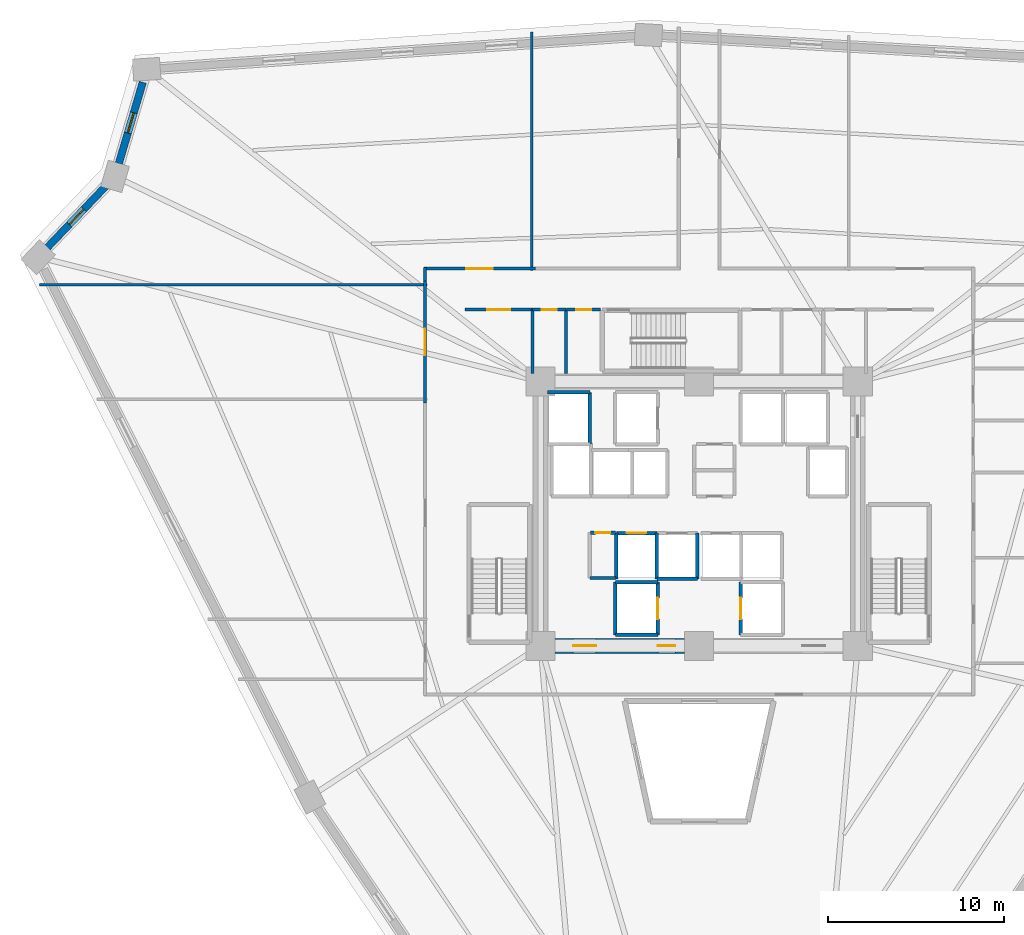
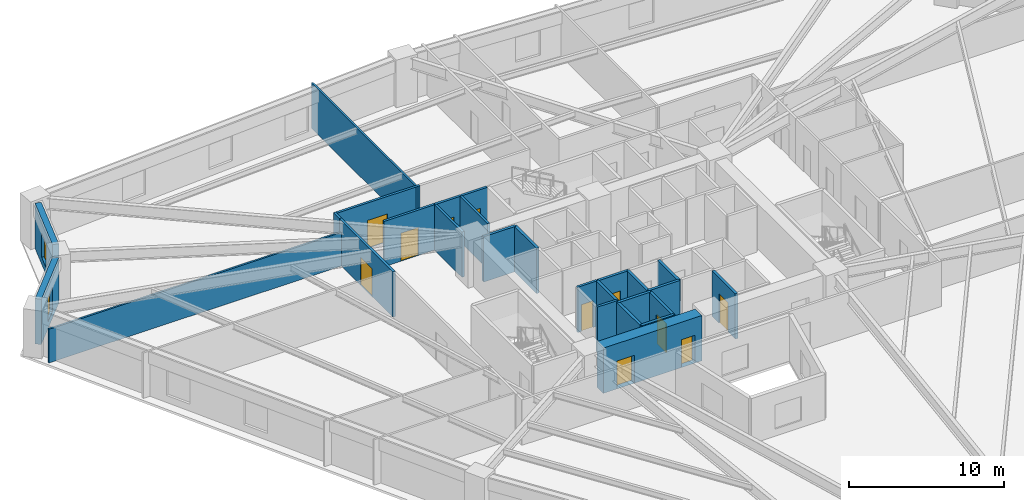
# One storey, part 4 of 8: 27 walls, 11 doors, 2 windows, 13 openings.
"""IFC4 building model written with IfcOpenShell, lengths in metres."""

from ifc_helpers import new_model, si_unit, direction, frame, frame_2d, origin, place, context, subcontext, project, spatial, rectangle, extrude, source, transform, mapped, material, layer, layer_set, type_object, element, fill, save


model = new_model("IFC4")

# Units and contexts
model_context = context("Model", 3, precision=1e-05, world=origin(), true_north=direction((0.0, 1.0)))
body_context = subcontext(model_context, "Body", "Model", "MODEL_VIEW")
ifc_project = project(units=[si_unit("LENGTHUNIT", "METRE"), si_unit("AREAUNIT", "SQUARE_METRE"), si_unit("VOLUMEUNIT", "CUBIC_METRE"), si_unit("PLANEANGLEUNIT", "RADIAN"), si_unit("MASSUNIT", "GRAM", prefix="KILO")], contexts=[model_context])

# Site, building, storey
site_placement = place(None, origin())
site = spatial("IfcSite", under=ifc_project, at=site_placement, CompositionType="ELEMENT")
building_placement = place(site_placement, origin())
building = spatial("IfcBuilding", under=site, at=building_placement, Name="Liaohun Quay Tower", CompositionType="ELEMENT")
storey_placement = place(building_placement, frame((0.0, 0.0, 85.5)))
storey = spatial("IfcBuildingStorey", under=building, at=storey_placement, Name="L22", CompositionType="ELEMENT", Elevation=85.5)

# Wall, openings, doors
ifc_material_1 = material(Name="Concrete C60", Category="concrete")
ifc_layer_1 = layer(ifc_material_1, 0.85009765625, Name="Concrete C60", Category="concrete")
ifc_layer_set_1 = layer_set([ifc_layer_1], Name="Concrete C60")
wall_type_1 = type_object("IfcWallType", Name="WAL-COR-Z1", PredefinedType="SHEAR", material=ifc_layer_set_1)
wall_1_placement = place(storey_placement, frame((59.175048828125, 46.5, 0.0), z_axis=(0.0, 0.0, 1.0), x_axis=(-1.0, 0.0, 0.0)))
wall_1 = element("IfcWall", 1, at=wall_1_placement, inside=storey, type_object=wall_type_1, Name="L22 Central Core Shear Wall S-W", PredefinedType="SHEAR", context=body_context, shape_type="SweptSolid", body=[
    extrude(rectangle(XDim=7.35009765625, YDim=0.85009765625, at=frame_2d((3.675048828125, 0.0))), origin(), (0.0, 0.0, 1.0), 3.570068359375),
])
shared_shape_1 = source(origin(), body_context, "Body", "SweptSolid", [
    extrude(rectangle(XDim=1.300048828125, YDim=2.199951171875, at=frame_2d((0.64990234375, 1.10009765625))), frame((0.0, 0.43505859375, 0.0), z_axis=(0.0, -1.0, 0.0), x_axis=(1.0, 0.0, 0.0)), (0.0, 0.0, 1.0), 0.8701171875),
])
opening_1_placement = place(wall_1_placement, frame((5.02490234375, 0.0, 0.0)))
opening_1 = element("IfcOpeningElement", 2, at=opening_1_placement, cuts=wall_1, Name="Opening FD1", PredefinedType="OPENING", context=body_context, shape_type="MappedRepresentation", body=[
    mapped(shared_shape_1, transform((0.0, 0.0, 0.0), x_axis=(1.0, 0.0, 0.0), y_axis=(0.0, 1.0, 0.0), z_axis=(0.0, 0.0, 1.0), scale=1.0)),
])
shared_shape_2 = source(origin(), body_context, "Body", "SweptSolid", [
    extrude(rectangle(XDim=1.0, YDim=2.199951171875, at=frame_2d((0.5, 1.10009765625))), frame((0.0, 0.43505859375, 0.0), z_axis=(0.0, -1.0, 0.0), x_axis=(1.0, 0.0, 0.0)), (0.0, 0.0, 1.0), 0.8701171875),
])
opening_2_placement = place(wall_1_placement, frame((0.52490234375, 0.0, 0.0)))
opening_2 = element("IfcOpeningElement", 3, at=opening_2_placement, cuts=wall_1, Name="Opening FD2", PredefinedType="OPENING", context=body_context, shape_type="MappedRepresentation", body=[
    mapped(shared_shape_2, transform((0.0, 0.0, 0.0), x_axis=(1.0, 0.0, 0.0), y_axis=(0.0, 1.0, 0.0), z_axis=(0.0, 0.0, 1.0), scale=1.0)),
])
ifc_material_2 = material(Name="Galvanised steel smokeproof fire door", Category="steel")
door_type_1 = type_object("IfcDoorType", Name="DOR-FFL-1300", OperationType="NOTDEFINED", PredefinedType="DOOR", material=ifc_material_2)
shared_shape_3 = source(origin(), body_context, "Body", "SweptSolid", [
    extrude(rectangle(XDim=1.300048828125, YDim=2.199951171875, at=frame_2d((0.64990234375, 1.10009765625))), frame((0.0, 0.02490234375, 0.0), z_axis=(0.0, -1.0, 0.0), x_axis=(1.0, 0.0, 0.0)), (0.0, 0.0, 1.0), 0.050048828125),
])
door_1_placement = place(opening_1_placement, origin())
door_1 = element("IfcDoor", 4, at=door_1_placement, inside=storey, type_object=door_type_1, Name="L22 West Core Lift Lobby Smokeproof Door", OperationType="SINGLE_SWING_RIGHT", OverallHeight=2.199951171875, OverallWidth=1.300048828125, PredefinedType="DOOR", context=body_context, shape_type="MappedRepresentation", body=[
    mapped(shared_shape_3, transform((0.0, 0.0, 0.0), x_axis=(1.0, 0.0, 0.0), y_axis=(0.0, 1.0, 0.0), z_axis=(0.0, 0.0, 1.0), scale=1.0)),
])
fill(opening_1, door_1)
ifc_material_3 = material(Name="Galvanised steel smokeproof lobby fire door", Category="steel")
door_type_2 = type_object("IfcDoorType", Name="DOR-FFL-1000", OperationType="NOTDEFINED", PredefinedType="DOOR", material=ifc_material_3)
shared_shape_4 = source(origin(), body_context, "Body", "SweptSolid", [
    extrude(rectangle(XDim=1.0, YDim=2.199951171875, at=frame_2d((0.5, 1.10009765625))), frame((0.0, 0.02490234375, 0.0), z_axis=(0.0, -1.0, 0.0), x_axis=(1.0, 0.0, 0.0)), (0.0, 0.0, 1.0), 0.050048828125),
])
door_2_placement = place(opening_2_placement, origin())
door_2 = element("IfcDoor", 5, at=door_2_placement, inside=storey, type_object=door_type_2, Name="L22 South Firefighting Lobby Smokeproof Door", OperationType="SINGLE_SWING_LEFT", OverallHeight=2.199951171875, OverallWidth=1.0, PredefinedType="DOOR", context=body_context, shape_type="MappedRepresentation", body=[
    mapped(shared_shape_4, transform((0.0, 0.0, 0.0), x_axis=(1.0, 0.0, 0.0), y_axis=(0.0, 1.0, 0.0), z_axis=(0.0, 0.0, 1.0), scale=1.0)),
])
fill(opening_2, door_2)

# Wall, opening, window
ifc_material_4 = material(Name="Precast concrete C50 insulated sandwich", Category="concrete")
ifc_layer_2 = layer(ifc_material_4, 0.419921875, Name="Precast concrete C50 insulated sandwich", Category="concrete")
ifc_layer_set_2 = layer_set([ifc_layer_2], Name="Precast concrete C50 insulated sandwich")
wall_type_2 = type_object("IfcWallType", Name="WAL-EXT-Z12", PredefinedType="SOLIDWALL", material=ifc_layer_set_2)
wall_2_placement = place(storey_placement, frame((28.4208984375, 78.488037109375, 0.0), z_axis=(0.0, 0.0, 1.0), x_axis=(-0.282812256526, -0.959175285106, 0.0)))
wall_2 = element("IfcWall", 6, at=wall_2_placement, inside=storey, type_object=wall_type_2, Name="L22 Brutalist Precast Pier Wall 08", PredefinedType="SOLIDWALL", context=body_context, shape_type="SweptSolid", body=[
    extrude(rectangle(XDim=4.808349609375, YDim=0.419921875, at=frame_2d((2.404296875, 0.0))), origin(), (0.0, 0.0, 1.0), 3.570068359375),
])
shared_shape_5 = source(origin(), body_context, "Body", "SweptSolid", [
    extrude(rectangle(XDim=1.199951171875, YDim=1.89990234375, at=frame_2d((0.60009765625, 0.949951171875))), frame((0.0, 0.219970703125, 0.0), z_axis=(0.0, -1.0, 0.0), x_axis=(1.0, 0.0, 0.0)), (0.0, 0.0, 1.0), 0.43994140625),
])
opening_3_placement = place(wall_2_placement, frame((1.803955078125, 0.0, 0.550048828125)))
opening_3 = element("IfcOpeningElement", 7, at=opening_3_placement, cuts=wall_2, Name="Opening W05", PredefinedType="OPENING", context=body_context, shape_type="MappedRepresentation", body=[
    mapped(shared_shape_5, transform((0.0, 0.0, 0.0), x_axis=(1.0, 0.0, 0.0), y_axis=(0.0, 1.0, 0.0), z_axis=(0.0, 0.0, 1.0), scale=1.0)),
])
ifc_material_5 = material(Name="Triple Low-E corner notch glazing", Category="glass")
window_type = type_object("IfcWindowType", Name="WIN-NOTCH", PartitioningType="SINGLE_PANEL", PredefinedType="WINDOW", material=ifc_material_5)
shared_shape_6 = source(origin(), body_context, "Body", "SweptSolid", [
    extrude(rectangle(XDim=1.199951171875, YDim=1.89990234375, at=frame_2d((0.60009765625, 0.949951171875))), frame((0.0, 0.030029296875, 0.0), z_axis=(0.0, -1.0, 0.0), x_axis=(1.0, 0.0, 0.0)), (0.0, 0.0, 1.0), 0.06005859375),
])
window_1_placement = place(opening_3_placement, origin())
window_1 = element("IfcWindow", 8, at=window_1_placement, inside=storey, type_object=window_type, Name="L22 Corner Notch Window W05-08", OverallHeight=1.89990234375, OverallWidth=1.199951171875, PartitioningType="SINGLE_PANEL", PredefinedType="WINDOW", context=body_context, shape_type="MappedRepresentation", body=[
    mapped(shared_shape_6, transform((0.0, 0.0, 0.0), x_axis=(1.0, 0.0, 0.0), y_axis=(0.0, 1.0, 0.0), z_axis=(0.0, 0.0, 1.0), scale=1.0)),
])
fill(opening_3, window_1)

wall_3_placement = place(storey_placement, frame((26.318115234375, 72.587890625, 0.0), z_axis=(0.0, 0.0, 1.0), x_axis=(-0.689510475748, -0.724275709819, 0.0)))
wall_3 = element("IfcWall", 9, at=wall_3_placement, inside=storey, type_object=wall_type_2, Name="L22 Brutalist Precast Pier Wall 09", PredefinedType="SOLIDWALL", context=body_context, shape_type="SweptSolid", body=[
    extrude(rectangle(XDim=4.803466796875, YDim=0.419921875, at=frame_2d((2.40185546875, 0.0))), origin(), (0.0, 0.0, 1.0), 3.570068359375),
])
opening_4_placement = place(wall_3_placement, frame((1.802001953125, 0.0, 0.550048828125)))
opening_4 = element("IfcOpeningElement", 10, at=opening_4_placement, cuts=wall_3, Name="Opening W05", PredefinedType="OPENING", context=body_context, shape_type="MappedRepresentation", body=[
    mapped(shared_shape_5, transform((0.0, 0.0, 0.0), x_axis=(1.0, 0.0, 0.0), y_axis=(0.0, 1.0, 0.0), z_axis=(0.0, 0.0, 1.0), scale=1.0)),
])
window_2_placement = place(opening_4_placement, origin())
window_2 = element("IfcWindow", 11, at=window_2_placement, inside=storey, type_object=window_type, Name="L22 Corner Notch Window W05-09", OverallHeight=1.89990234375, OverallWidth=1.199951171875, PartitioningType="SINGLE_PANEL", PredefinedType="WINDOW", context=body_context, shape_type="MappedRepresentation", body=[
    mapped(shared_shape_6, transform((0.0, 0.0, 0.0), x_axis=(1.0, 0.0, 0.0), y_axis=(0.0, 1.0, 0.0), z_axis=(0.0, 0.0, 1.0), scale=1.0)),
])
fill(opening_4, window_2)

# Wall, opening, door
ifc_material_6 = material(Name="Autoclaved aerated concrete blockwork", Category="masonry")
ifc_layer_3 = layer(ifc_material_6, 0.179931640625, Name="Autoclaved aerated concrete blockwork", Category="masonry")
ifc_layer_set_3 = layer_set([ifc_layer_3], Name="Autoclaved aerated concrete blockwork")
wall_type_3 = type_object("IfcWallType", Name="WAL-PRT-COR", PredefinedType="PARTITIONING", material=ifc_layer_set_3)
wall_4_placement = place(storey_placement, frame((53.820068359375, 52.919921875, 0.0), z_axis=(0.0, 0.0, 1.0), x_axis=(1.0, 0.0, 0.0)))
wall_4 = element("IfcWall", 12, at=wall_4_placement, inside=storey, type_object=wall_type_3, Name="L22 Interior Partition Wall 003", PredefinedType="PARTITIONING", context=body_context, shape_type="SweptSolid", body=[
    extrude(rectangle(XDim=1.429931640625, YDim=0.179931640625, at=frame_2d((0.71484375, 0.0))), origin(), (0.0, 0.0, 1.0), 3.570068359375),
])
shared_shape_7 = source(origin(), body_context, "Body", "SweptSolid", [
    extrude(rectangle(XDim=0.85009765625, YDim=2.10009765625, at=frame_2d((0.425048828125, 1.050048828125))), frame((0.0, 0.099853515625, 0.0), z_axis=(0.0, -1.0, 0.0), x_axis=(1.0, 0.0, 0.0)), (0.0, 0.0, 1.0), 0.199951171875),
])
opening_5_placement = place(wall_4_placement, frame((0.2900390625, 0.0, 0.0)))
opening_5 = element("IfcOpeningElement", 13, at=opening_5_placement, cuts=wall_4, Name="Opening AD1", PredefinedType="OPENING", context=body_context, shape_type="MappedRepresentation", body=[
    mapped(shared_shape_7, transform((0.0, 0.0, 0.0), x_axis=(1.0, 0.0, 0.0), y_axis=(0.0, 1.0, 0.0), z_axis=(0.0, 0.0, 1.0), scale=1.0)),
])
ifc_material_7 = material(Name="Steel riser inspection fire door", Category="steel")
door_type_3 = type_object("IfcDoorType", Name="DOR-SHF-850", OperationType="NOTDEFINED", PredefinedType="DOOR", material=ifc_material_7)
shared_shape_8 = source(origin(), body_context, "Body", "SweptSolid", [
    extrude(rectangle(XDim=0.85009765625, YDim=2.10009765625, at=frame_2d((0.425048828125, 1.050048828125))), frame((0.0, 0.02490234375, 0.0), z_axis=(0.0, -1.0, 0.0), x_axis=(1.0, 0.0, 0.0)), (0.0, 0.0, 1.0), 0.050048828125),
])
door_3_placement = place(opening_5_placement, origin())
door_3 = element("IfcDoor", 14, at=door_3_placement, inside=storey, type_object=door_type_3, Name="L22 Core Fire Hose and Riser Closet Door", OperationType="SINGLE_SWING_LEFT", OverallHeight=2.10009765625, OverallWidth=0.85009765625, PredefinedType="DOOR", context=body_context, shape_type="MappedRepresentation", body=[
    mapped(shared_shape_8, transform((0.0, 0.0, 0.0), x_axis=(1.0, 0.0, 0.0), y_axis=(0.0, 1.0, 0.0), z_axis=(0.0, 0.0, 1.0), scale=1.0)),
])
fill(opening_5, door_3)

wall_5_placement = place(storey_placement, frame((50.5400390625, 65.580078125, 0.0), z_axis=(0.0, 0.0, 1.0), x_axis=(1.0, 0.0, 0.0)))
wall_5 = element("IfcWall", 15, at=wall_5_placement, inside=storey, type_object=wall_type_3, Name="L22 Interior Partition Wall 007", PredefinedType="PARTITIONING", context=body_context, shape_type="SweptSolid", body=[
    extrude(rectangle(XDim=1.89990234375, YDim=0.179931640625, at=frame_2d((0.949951171875, 0.0))), origin(), (0.0, 0.0, 1.0), 3.570068359375),
])
opening_6_placement = place(wall_5_placement, frame((0.52490234375, 0.0, 0.0)))
opening_6 = element("IfcOpeningElement", 16, at=opening_6_placement, cuts=wall_5, Name="Opening AD1", PredefinedType="OPENING", context=body_context, shape_type="MappedRepresentation", body=[
    mapped(shared_shape_7, transform((0.0, 0.0, 0.0), x_axis=(1.0, 0.0, 0.0), y_axis=(0.0, 1.0, 0.0), z_axis=(0.0, 0.0, 1.0), scale=1.0)),
])
door_4_placement = place(opening_6_placement, origin())
door_4 = element("IfcDoor", 17, at=door_4_placement, inside=storey, type_object=door_type_3, Name="L22 North-West Riser Closet Door", OperationType="SINGLE_SWING_LEFT", OverallHeight=2.10009765625, OverallWidth=0.85009765625, PredefinedType="DOOR", context=body_context, shape_type="MappedRepresentation", body=[
    mapped(shared_shape_8, transform((0.0, 0.0, 0.0), x_axis=(1.0, 0.0, 0.0), y_axis=(0.0, 1.0, 0.0), z_axis=(0.0, 0.0, 1.0), scale=1.0)),
])
fill(opening_6, door_4)

wall_6_placement = place(storey_placement, frame((52.47998046875, 65.580078125, 0.0), z_axis=(0.0, 0.0, 1.0), x_axis=(1.0, 0.0, 0.0)))
wall_6 = element("IfcWall", 18, at=wall_6_placement, inside=storey, type_object=wall_type_3, Name="L22 Interior Partition Wall 008", PredefinedType="PARTITIONING", context=body_context, shape_type="SweptSolid", body=[
    extrude(rectangle(XDim=1.929931640625, YDim=0.179931640625, at=frame_2d((0.96484375, 0.0))), origin(), (0.0, 0.0, 1.0), 3.570068359375),
])
opening_7_placement = place(wall_6_placement, frame((0.5400390625, 0.0, 0.0)))
opening_7 = element("IfcOpeningElement", 19, at=opening_7_placement, cuts=wall_6, Name="Opening AD1", PredefinedType="OPENING", context=body_context, shape_type="MappedRepresentation", body=[
    mapped(shared_shape_7, transform((0.0, 0.0, 0.0), x_axis=(1.0, 0.0, 0.0), y_axis=(0.0, 1.0, 0.0), z_axis=(0.0, 0.0, 1.0), scale=1.0)),
])
door_5_placement = place(opening_7_placement, origin())
door_5 = element("IfcDoor", 20, at=door_5_placement, inside=storey, type_object=door_type_3, Name="L22 North-West Print Closet Door", OperationType="SINGLE_SWING_RIGHT", OverallHeight=2.10009765625, OverallWidth=0.85009765625, PredefinedType="DOOR", context=body_context, shape_type="MappedRepresentation", body=[
    mapped(shared_shape_8, transform((0.0, 0.0, 0.0), x_axis=(1.0, 0.0, 0.0), y_axis=(0.0, 1.0, 0.0), z_axis=(0.0, 0.0, 1.0), scale=1.0)),
])
fill(opening_7, door_5)

wall_7_placement = place(storey_placement, frame((46.699951171875, 65.580078125, 0.0), z_axis=(0.0, 0.0, 1.0), x_axis=(1.0, 0.0, 0.0)))
wall_7 = element("IfcWall", 21, at=wall_7_placement, inside=storey, type_object=wall_type_3, Name="L22 Interior Partition Wall 012", PredefinedType="PARTITIONING", context=body_context, shape_type="SweptSolid", body=[
    extrude(rectangle(XDim=3.840087890625, YDim=0.179931640625, at=frame_2d((1.919921875, 0.0))), origin(), (0.0, 0.0, 1.0), 3.570068359375),
])
shared_shape_9 = source(origin(), body_context, "Body", "SweptSolid", [
    extrude(rectangle(XDim=1.300048828125, YDim=2.199951171875, at=frame_2d((0.64990234375, 1.10009765625))), frame((0.0, 0.099853515625, 0.0), z_axis=(0.0, -1.0, 0.0), x_axis=(1.0, 0.0, 0.0)), (0.0, 0.0, 1.0), 0.199951171875),
])
opening_8_placement = place(wall_7_placement, frame((1.27001953125, 0.0, 0.0)))
opening_8 = element("IfcOpeningElement", 22, at=opening_8_placement, cuts=wall_7, Name="Opening FD1", PredefinedType="OPENING", context=body_context, shape_type="MappedRepresentation", body=[
    mapped(shared_shape_9, transform((0.0, 0.0, 0.0), x_axis=(1.0, 0.0, 0.0), y_axis=(0.0, 1.0, 0.0), z_axis=(0.0, 0.0, 1.0), scale=1.0)),
])
door_6_placement = place(opening_8_placement, origin())
door_6 = element("IfcDoor", 23, at=door_6_placement, inside=storey, type_object=door_type_1, Name="L22 West Core Vestibule Door", OperationType="SINGLE_SWING_RIGHT", OverallHeight=2.199951171875, OverallWidth=1.300048828125, PredefinedType="DOOR", context=body_context, shape_type="MappedRepresentation", body=[
    mapped(shared_shape_3, transform((0.0, 0.0, 0.0), x_axis=(1.0, 0.0, 0.0), y_axis=(0.0, 1.0, 0.0), z_axis=(0.0, 0.0, 1.0), scale=1.0)),
])
fill(opening_8, door_6)

wall_8_placement = place(storey_placement, frame((44.3701171875, 67.909912109375, 0.0), z_axis=(0.0, 0.0, 1.0), x_axis=(1.0, 0.0, 0.0)))
wall_8 = element("IfcWall", 24, at=wall_8_placement, inside=storey, type_object=wall_type_3, Name="L22 Interior Partition Wall 018", PredefinedType="PARTITIONING", context=body_context, shape_type="SweptSolid", body=[
    extrude(rectangle(XDim=6.344970703125, YDim=0.179931640625, at=frame_2d((3.17236328125, 0.0))), origin(), (0.0, 0.0, 1.0), 3.570068359375),
])
shared_shape_10 = source(origin(), body_context, "Body", "SweptSolid", [
    extrude(rectangle(XDim=1.5, YDim=2.199951171875, at=frame_2d((0.75, 1.10009765625))), frame((0.0, 0.099853515625, 0.0), z_axis=(0.0, -1.0, 0.0), x_axis=(1.0, 0.0, 0.0)), (0.0, 0.0, 1.0), 0.199951171875),
])
opening_9_placement = place(wall_8_placement, frame((2.423095703125, 0.0, 0.0)))
opening_9 = element("IfcOpeningElement", 25, at=opening_9_placement, cuts=wall_8, Name="Opening OD2", PredefinedType="OPENING", context=body_context, shape_type="MappedRepresentation", body=[
    mapped(shared_shape_10, transform((0.0, 0.0, 0.0), x_axis=(1.0, 0.0, 0.0), y_axis=(0.0, 1.0, 0.0), z_axis=(0.0, 0.0, 1.0), scale=1.0)),
])
ifc_material_8 = material(Name="Acoustic oak veneer double door")
door_type_4 = type_object("IfcDoorType", Name="DOR-OFF-1500", OperationType="DOUBLE_DOOR_SINGLE_SWING", PredefinedType="DOOR", material=ifc_material_8)
shared_shape_11 = source(origin(), body_context, "Body", "SweptSolid", [
    extrude(rectangle(XDim=1.5, YDim=2.199951171875, at=frame_2d((0.75, 1.10009765625))), frame((0.0, 0.02490234375, 0.0), z_axis=(0.0, -1.0, 0.0), x_axis=(1.0, 0.0, 0.0)), (0.0, 0.0, 1.0), 0.050048828125),
])
door_7_placement = place(opening_9_placement, origin())
door_7 = element("IfcDoor", 26, at=door_7_placement, inside=storey, type_object=door_type_4, Name="L22 Client Collaboration Lounge 05 Door", OperationType="DOUBLE_DOOR_SINGLE_SWING", OverallHeight=2.199951171875, OverallWidth=1.5, PredefinedType="DOOR", context=body_context, shape_type="MappedRepresentation", body=[
    mapped(shared_shape_11, transform((0.0, 0.0, 0.0), x_axis=(1.0, 0.0, 0.0), y_axis=(0.0, 1.0, 0.0), z_axis=(0.0, 0.0, 1.0), scale=1.0)),
])
fill(opening_9, door_7)

wall_9_placement = place(storey_placement, frame((44.43994140625, 60.284912109375, 0.0), z_axis=(0.0, 0.0, 1.0), x_axis=(0.0, 1.0, 0.0)))
wall_9 = element("IfcWall", 27, at=wall_9_placement, inside=storey, type_object=wall_type_3, Name="L22 Interior Partition Wall 019", PredefinedType="PARTITIONING", context=body_context, shape_type="SweptSolid", body=[
    extrude(rectangle(XDim=6.93017578125, YDim=0.179931640625, at=frame_2d((3.465087890625, 0.0))), origin(), (0.0, 0.0, 1.0), 3.570068359375),
])
opening_10_placement = place(wall_9_placement, frame((2.715087890625, 0.0, 0.0)))
opening_10 = element("IfcOpeningElement", 28, at=opening_10_placement, cuts=wall_9, Name="Opening OD2", PredefinedType="OPENING", context=body_context, shape_type="MappedRepresentation", body=[
    mapped(shared_shape_10, transform((0.0, 0.0, 0.0), x_axis=(1.0, 0.0, 0.0), y_axis=(0.0, 1.0, 0.0), z_axis=(0.0, 0.0, 1.0), scale=1.0)),
])
door_8_placement = place(opening_10_placement, origin())
door_8 = element("IfcDoor", 29, at=door_8_placement, inside=storey, type_object=door_type_4, Name="L22 Staff Tea Kitchen and Pantry 06 Door", OperationType="DOUBLE_DOOR_SINGLE_SWING", OverallHeight=2.199951171875, OverallWidth=1.5, PredefinedType="DOOR", context=body_context, shape_type="MappedRepresentation", body=[
    mapped(shared_shape_11, transform((0.0, 0.0, 0.0), x_axis=(1.0, 0.0, 0.0), y_axis=(0.0, 1.0, 0.0), z_axis=(0.0, 0.0, 1.0), scale=1.0)),
])
fill(opening_10, door_8)

# Walls
wall_10_placement = place(storey_placement, frame((53.7900390625, 50.35009765625, 0.0), z_axis=(0.0, 0.0, 1.0), x_axis=(1.0, 0.0, 0.0)))
element("IfcWall", 30, at=wall_10_placement, inside=storey, type_object=wall_type_3, Name="L22 Interior Partition Wall 028", PredefinedType="PARTITIONING", context=body_context, shape_type="SweptSolid", body=[
    extrude(rectangle(XDim=1.489990234375, YDim=0.179931640625, at=frame_2d((0.7451171875, 0.0))), origin(), (0.0, 0.0, 1.0), 3.570068359375),
])
for number, where, z_axis, x_axis, name in (
    (31, (50.5400390625, 61.949951171875, 0.0), (0.0, 0.0, 1.0), (0.0, 1.0, 0.0), "L22 Interior Partition Wall 034"),
    (32, (52.43994140625, 61.949951171875, 0.0), (0.0, 0.0, 1.0), (0.0, 1.0, 0.0), "L22 Interior Partition Wall 035"),
):
    element("IfcWall", number, at=place(storey_placement, frame(where, z_axis=z_axis, x_axis=x_axis)), inside=storey, type_object=wall_type_3, Name=name, PredefinedType="PARTITIONING", context=body_context, shape_type="SweptSolid", body=[
        extrude(rectangle(XDim=3.630126953125, YDim=0.179931640625, at=frame_2d((1.81494140625, 0.0))), origin(), (0.0, 0.0, 1.0), 3.570068359375),
    ])
wall_11_placement = place(storey_placement, frame((44.43994140625, 67.215087890625, 0.0), z_axis=(0.0, 0.0, 1.0), x_axis=(0.0, 1.0, 0.0)))
element("IfcWall", 33, at=wall_11_placement, inside=storey, type_object=wall_type_3, Name="L22 Interior Partition Wall 043", PredefinedType="PARTITIONING", context=body_context, shape_type="SweptSolid", body=[
    extrude(rectangle(XDim=0.764892578125, YDim=0.179931640625, at=frame_2d((0.38232421875, 0.0))), origin(), (0.0, 0.0, 1.0), 3.570068359375),
])
ifc_material_9 = material(Name="Gypsum board on twin steel studs", Category="steel")
ifc_layer_4 = layer(ifc_material_9, 0.139892578125, Name="Gypsum board on twin steel studs", Category="steel")
ifc_layer_set_4 = layer_set([ifc_layer_4], Name="Gypsum board on twin steel studs")
wall_type_4 = type_object("IfcWallType", Name="WAL-PRT-OFF", PredefinedType="PARTITIONING", material=ifc_layer_set_4)
wall_12_placement = place(storey_placement, frame((44.5400390625, 67.0, 0.0), z_axis=(0.0, 0.0, 1.0), x_axis=(-1.0, 0.0, 0.0)))
element("IfcWall", 34, at=wall_12_placement, inside=storey, type_object=wall_type_4, Name="L22 Interior Partition Wall 049", PredefinedType="PARTITIONING", context=body_context, shape_type="SweptSolid", body=[
    extrude(rectangle(XDim=21.983154296875, YDim=0.139892578125, at=frame_2d((10.99169921875, 0.0))), origin(), (0.0, 0.0, 1.0), 2.655029296875),
])
wall_13_placement = place(storey_placement, frame((50.5, 67.81005859375, 0.0), z_axis=(0.0, 0.0, 1.0), x_axis=(0.0, 1.0, 0.0)))
element("IfcWall", 35, at=wall_13_placement, inside=storey, type_object=wall_type_4, Name="L22 Interior Partition Wall 053", PredefinedType="PARTITIONING", context=body_context, shape_type="SweptSolid", body=[
    extrude(rectangle(XDim=13.536865234375, YDim=0.139892578125, at=frame_2d((6.7685546875, 0.0))), origin(), (0.0, 0.0, 1.0), 3.570068359375),
])
ifc_material_10 = material(Name="Concrete C50", Category="concrete")
ifc_layer_5 = layer(ifc_material_10, 0.239990234375, Name="Concrete C50", Category="concrete")
ifc_layer_set_5 = layer_set([ifc_layer_5], Name="Concrete C50")
wall_type_5 = type_object("IfcWallType", Name="WAL-SHF-200", PredefinedType="SOLIDWALL", material=ifc_layer_set_5)
wall_14_placement = place(storey_placement, frame((55.25, 47.1201171875, 0.0), z_axis=(0.0, 0.0, 1.0), x_axis=(1.0, 0.0, 0.0)))
element("IfcWall", 36, at=wall_14_placement, inside=storey, type_object=wall_type_5, Name="L22 Lift FF-01 Hoistway Wall S", PredefinedType="SOLIDWALL", context=body_context, shape_type="SweptSolid", body=[
    extrude(rectangle(XDim=2.39990234375, YDim=0.199951171875, at=frame_2d((1.199951171875, 0.0))), origin(), (0.0, 0.0, 1.0), 3.570068359375),
])

# Wall, opening, door
wall_15_placement = place(storey_placement, frame((57.64990234375, 47.1201171875, 0.0), z_axis=(0.0, 0.0, 1.0), x_axis=(0.0, 1.0, 0.0)))
wall_15 = element("IfcWall", 37, at=wall_15_placement, inside=storey, type_object=wall_type_5, Name="L22 Lift FF-01 Hoistway Wall E", PredefinedType="SOLIDWALL", context=body_context, shape_type="SweptSolid", body=[
    extrude(rectangle(XDim=3.0, YDim=0.199951171875, at=frame_2d((1.5, 0.0))), origin(), (0.0, 0.0, 1.0), 3.570068359375),
])
shared_shape_12 = source(origin(), body_context, "Body", "SweptSolid", [
    extrude(rectangle(XDim=1.199951171875, YDim=2.300048828125, at=frame_2d((0.60009765625, 1.14990234375))), frame((0.0, 0.10986328125, 0.0), z_axis=(0.0, -1.0, 0.0), x_axis=(1.0, 0.0, 0.0)), (0.0, 0.0, 1.0), 0.219970703125),
])
opening_11_placement = place(wall_15_placement, frame((0.89990234375, 0.0, 0.0)))
opening_11 = element("IfcOpeningElement", 38, at=opening_11_placement, cuts=wall_15, Name="Opening LD2", PredefinedType="OPENING", context=body_context, shape_type="MappedRepresentation", body=[
    mapped(shared_shape_12, transform((0.0, 0.0, 0.0), x_axis=(1.0, 0.0, 0.0), y_axis=(0.0, 1.0, 0.0), z_axis=(0.0, 0.0, 1.0), scale=1.0)),
])
ifc_material_11 = material(Name="Brushed stainless steel stretcher landing door", Category="steel")
door_type_5 = type_object("IfcDoorType", Name="DOR-LFT-1200", OperationType="SLIDING_TO_LEFT", PredefinedType="DOOR", material=ifc_material_11)
shared_shape_13 = source(origin(), body_context, "Body", "SweptSolid", [
    extrude(rectangle(XDim=1.199951171875, YDim=2.300048828125, at=frame_2d((0.60009765625, 1.14990234375))), frame((0.0, 0.02490234375, 0.0), z_axis=(0.0, -1.0, 0.0), x_axis=(1.0, 0.0, 0.0)), (0.0, 0.0, 1.0), 0.050048828125),
])
door_9_placement = place(opening_11_placement, origin())
door_9 = element("IfcDoor", 39, at=door_9_placement, inside=storey, type_object=door_type_5, Name="L22 Lift FF-01 Sliding Landing Door", OperationType="SLIDING_TO_LEFT", OverallHeight=2.300048828125, OverallWidth=1.199951171875, PredefinedType="DOOR", context=body_context, shape_type="MappedRepresentation", body=[
    mapped(shared_shape_13, transform((0.0, 0.0, 0.0), x_axis=(1.0, 0.0, 0.0), y_axis=(0.0, 1.0, 0.0), z_axis=(0.0, 0.0, 1.0), scale=1.0)),
])
fill(opening_11, door_9)

# Walls
wall_16_placement = place(storey_placement, frame((57.64990234375, 50.1201171875, 0.0), z_axis=(0.0, 0.0, 1.0), x_axis=(-1.0, 0.0, 0.0)))
element("IfcWall", 40, at=wall_16_placement, inside=storey, type_object=wall_type_5, Name="L22 Lift FF-01 Hoistway Wall N", PredefinedType="SOLIDWALL", context=body_context, shape_type="SweptSolid", body=[
    extrude(rectangle(XDim=2.39990234375, YDim=0.199951171875, at=frame_2d((1.199951171875, 0.0))), origin(), (0.0, 0.0, 1.0), 3.570068359375),
])
wall_17_placement = place(storey_placement, frame((55.25, 50.1201171875, 0.0), z_axis=(0.0, 0.0, 1.0), x_axis=(0.0, -1.0, 0.0)))
element("IfcWall", 41, at=wall_17_placement, inside=storey, type_object=wall_type_5, Name="L22 Lift FF-01 Hoistway Wall W", PredefinedType="SOLIDWALL", context=body_context, shape_type="SweptSolid", body=[
    extrude(rectangle(XDim=3.0, YDim=0.199951171875, at=frame_2d((1.5, 0.0))), origin(), (0.0, 0.0, 1.0), 3.570068359375),
])

# Wall, opening, door
wall_18_placement = place(storey_placement, frame((62.35009765625, 50.1201171875, 0.0), z_axis=(0.0, 0.0, 1.0), x_axis=(0.0, -1.0, 0.0)))
wall_18 = element("IfcWall", 42, at=wall_18_placement, inside=storey, type_object=wall_type_5, Name="L22 Lift FF-02 Hoistway Wall W", PredefinedType="SOLIDWALL", context=body_context, shape_type="SweptSolid", body=[
    extrude(rectangle(XDim=3.0, YDim=0.199951171875, at=frame_2d((1.5, 0.0))), origin(), (0.0, 0.0, 1.0), 3.570068359375),
])
opening_12_placement = place(wall_18_placement, frame((0.89990234375, 0.0, 0.0)))
opening_12 = element("IfcOpeningElement", 43, at=opening_12_placement, cuts=wall_18, Name="Opening LD2", PredefinedType="OPENING", context=body_context, shape_type="MappedRepresentation", body=[
    mapped(shared_shape_12, transform((0.0, 0.0, 0.0), x_axis=(1.0, 0.0, 0.0), y_axis=(0.0, 1.0, 0.0), z_axis=(0.0, 0.0, 1.0), scale=1.0)),
])
door_10_placement = place(opening_12_placement, origin())
door_10 = element("IfcDoor", 44, at=door_10_placement, inside=storey, type_object=door_type_5, Name="L22 Lift FF-02 Sliding Landing Door", OperationType="SLIDING_TO_LEFT", OverallHeight=2.300048828125, OverallWidth=1.199951171875, PredefinedType="DOOR", context=body_context, shape_type="MappedRepresentation", body=[
    mapped(shared_shape_13, transform((0.0, 0.0, 0.0), x_axis=(1.0, 0.0, 0.0), y_axis=(0.0, 1.0, 0.0), z_axis=(0.0, 0.0, 1.0), scale=1.0)),
])
fill(opening_12, door_10)

# Walls
wall_19_placement = place(storey_placement, frame((53.800048828125, 57.949951171875, 0.0), z_axis=(0.0, 0.0, 1.0), x_axis=(0.0, 1.0, 0.0)))
element("IfcWall", 45, at=wall_19_placement, inside=storey, type_object=wall_type_5, Name="L22 Lift SH-01 Hoistway Wall E", PredefinedType="SOLIDWALL", context=body_context, shape_type="SweptSolid", body=[
    extrude(rectangle(XDim=2.929931640625, YDim=0.199951171875, at=frame_2d((1.46484375, 0.0))), origin(), (0.0, 0.0, 1.0), 3.570068359375),
])
wall_20_placement = place(storey_placement, frame((53.800048828125, 60.8798828125, 0.0), z_axis=(0.0, 0.0, 1.0), x_axis=(-1.0, 0.0, 0.0)))
element("IfcWall", 46, at=wall_20_placement, inside=storey, type_object=wall_type_5, Name="L22 Lift SH-01 Hoistway Wall N", PredefinedType="SOLIDWALL", context=body_context, shape_type="SweptSolid", body=[
    extrude(rectangle(XDim=2.400146484375, YDim=0.199951171875, at=frame_2d((1.2001953125, 0.0))), origin(), (0.0, 0.0, 1.0), 3.570068359375),
])
wall_21_placement = place(storey_placement, frame((57.60009765625, 50.300048828125, 0.0), z_axis=(0.0, 0.0, 1.0), x_axis=(0.0, 1.0, 0.0)))
element("IfcWall", 47, at=wall_21_placement, inside=storey, type_object=wall_type_5, Name="L22 Lift PL-1A Hoistway Wall E", PredefinedType="SOLIDWALL", context=body_context, shape_type="SweptSolid", body=[
    extrude(rectangle(XDim=2.599853515625, YDim=0.199951171875, at=frame_2d((1.2998046875, 0.0))), origin(), (0.0, 0.0, 1.0), 3.570068359375),
])

# Wall, opening, door
wall_22_placement = place(storey_placement, frame((57.60009765625, 52.89990234375, 0.0), z_axis=(0.0, 0.0, 1.0), x_axis=(-1.0, 0.0, 0.0)))
wall_22 = element("IfcWall", 48, at=wall_22_placement, inside=storey, type_object=wall_type_5, Name="L22 Lift PL-1A Hoistway Wall N", PredefinedType="SOLIDWALL", context=body_context, shape_type="SweptSolid", body=[
    extrude(rectangle(XDim=2.300048828125, YDim=0.199951171875, at=frame_2d((1.14990234375, 0.0))), origin(), (0.0, 0.0, 1.0), 3.570068359375),
])
shared_shape_14 = source(origin(), body_context, "Body", "SweptSolid", [
    extrude(rectangle(XDim=1.10009765625, YDim=2.199951171875, at=frame_2d((0.550048828125, 1.10009765625))), frame((0.0, 0.10986328125, 0.0), z_axis=(0.0, -1.0, 0.0), x_axis=(1.0, 0.0, 0.0)), (0.0, 0.0, 1.0), 0.219970703125),
])
opening_13_placement = place(wall_22_placement, frame((0.60009765625, 0.0, 0.0)))
opening_13 = element("IfcOpeningElement", 49, at=opening_13_placement, cuts=wall_22, Name="Opening LD1", PredefinedType="OPENING", context=body_context, shape_type="MappedRepresentation", body=[
    mapped(shared_shape_14, transform((0.0, 0.0, 0.0), x_axis=(1.0, 0.0, 0.0), y_axis=(0.0, 1.0, 0.0), z_axis=(0.0, 0.0, 1.0), scale=1.0)),
])
ifc_material_12 = material(Name="Brushed stainless steel landing door", Category="steel")
door_type_6 = type_object("IfcDoorType", Name="DOR-LFT-1100", OperationType="SLIDING_TO_LEFT", PredefinedType="DOOR", material=ifc_material_12)
shared_shape_15 = source(origin(), body_context, "Body", "SweptSolid", [
    extrude(rectangle(XDim=1.10009765625, YDim=2.199951171875, at=frame_2d((0.550048828125, 1.10009765625))), frame((0.0, 0.02490234375, 0.0), z_axis=(0.0, -1.0, 0.0), x_axis=(1.0, 0.0, 0.0)), (0.0, 0.0, 1.0), 0.050048828125),
])
door_11_placement = place(opening_13_placement, origin())
door_11 = element("IfcDoor", 50, at=door_11_placement, inside=storey, type_object=door_type_6, Name="L22 Lift PL-1A Sliding Landing Door", OperationType="SLIDING_TO_LEFT", OverallHeight=2.199951171875, OverallWidth=1.10009765625, PredefinedType="DOOR", context=body_context, shape_type="MappedRepresentation", body=[
    mapped(shared_shape_15, transform((0.0, 0.0, 0.0), x_axis=(1.0, 0.0, 0.0), y_axis=(0.0, 1.0, 0.0), z_axis=(0.0, 0.0, 1.0), scale=1.0)),
])
fill(opening_13, door_11)

# Walls
wall_23_placement = place(storey_placement, frame((55.300048828125, 52.89990234375, 0.0), z_axis=(0.0, 0.0, 1.0), x_axis=(0.0, -1.0, 0.0)))
element("IfcWall", 51, at=wall_23_placement, inside=storey, type_object=wall_type_5, Name="L22 Lift PL-1A Hoistway Wall W", PredefinedType="SOLIDWALL", context=body_context, shape_type="SweptSolid", body=[
    extrude(rectangle(XDim=2.599853515625, YDim=0.199951171875, at=frame_2d((1.2998046875, 0.0))), origin(), (0.0, 0.0, 1.0), 3.570068359375),
])
wall_24_placement = place(storey_placement, frame((57.60009765625, 50.300048828125, 0.0), z_axis=(0.0, 0.0, 1.0), x_axis=(1.0, 0.0, 0.0)))
element("IfcWall", 52, at=wall_24_placement, inside=storey, type_object=wall_type_5, Name="L22 Lift PL-1B Hoistway Wall S", PredefinedType="SOLIDWALL", context=body_context, shape_type="SweptSolid", body=[
    extrude(rectangle(XDim=2.2998046875, YDim=0.199951171875, at=frame_2d((1.14990234375, 0.0))), origin(), (0.0, 0.0, 1.0), 3.570068359375),
])
wall_25_placement = place(storey_placement, frame((59.89990234375, 50.300048828125, 0.0), z_axis=(0.0, 0.0, 1.0), x_axis=(0.0, 1.0, 0.0)))
element("IfcWall", 53, at=wall_25_placement, inside=storey, type_object=wall_type_5, Name="L22 Lift PL-1B Hoistway Wall E", PredefinedType="SOLIDWALL", context=body_context, shape_type="SweptSolid", body=[
    extrude(rectangle(XDim=2.599853515625, YDim=0.199951171875, at=frame_2d((1.2998046875, 0.0))), origin(), (0.0, 0.0, 1.0), 3.570068359375),
])

save(model, "model.ifc")
